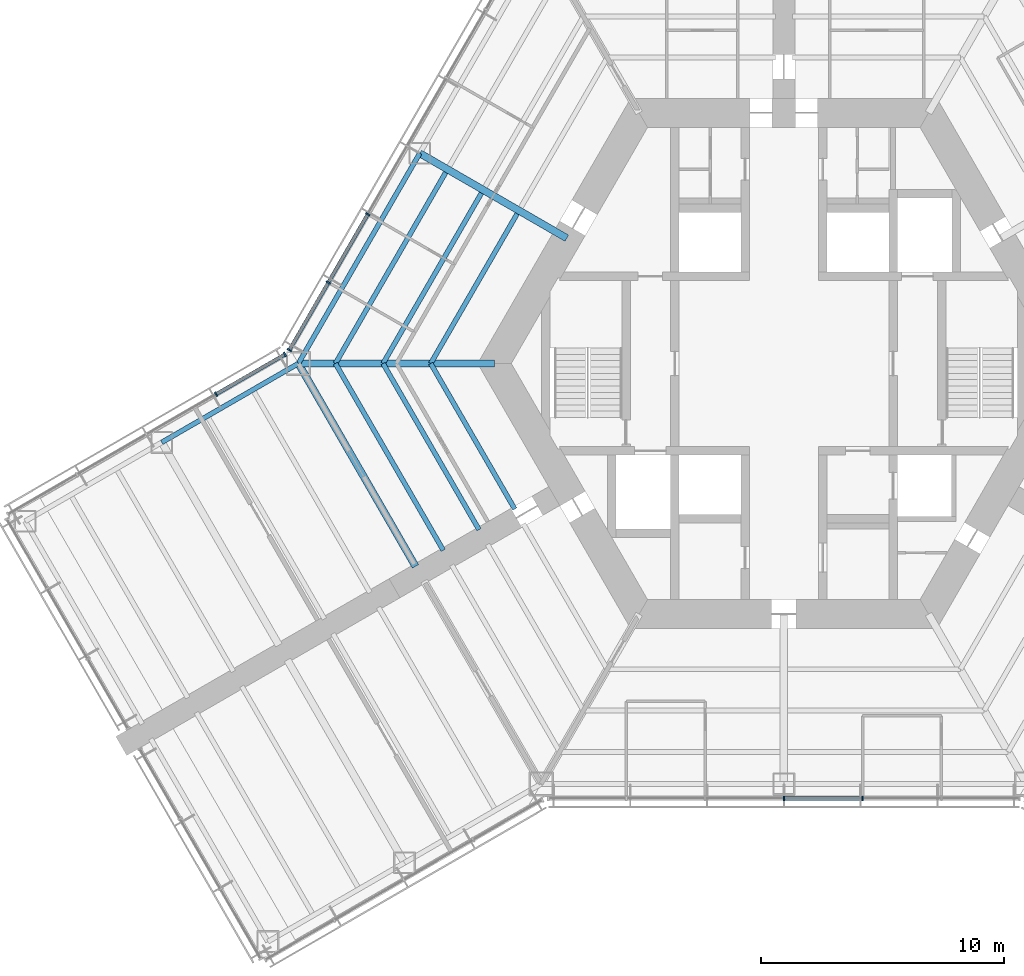
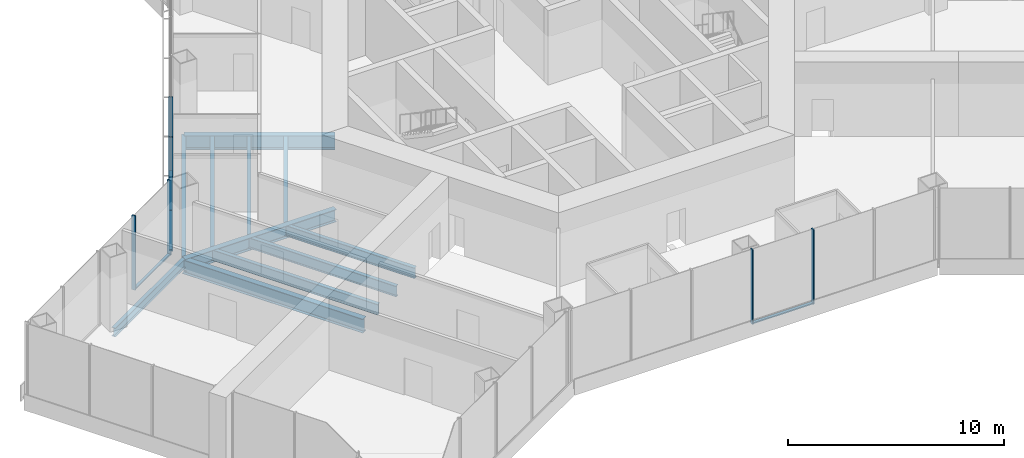
# One storey, part 3 of 17: 11 beams, 11 members, 3 elements without a shape of their own.
"""IFC4 building model written with IfcOpenShell, lengths in metres."""

from ifc_helpers import new_model, si_unit, direction, frame, origin, origin_2d, place, context, subcontext, project, spatial, rectangle, i_section, extrude, material, material_profile, profile_set, type_object, element, aggregate, save


model = new_model("IFC4")

# Units and contexts
model_context = context("Model", 3, precision=1e-05, world=origin(), true_north=direction((0.0, 1.0)))
body_context = subcontext(model_context, "Body", "Model", "MODEL_VIEW")
ifc_project = project(units=[si_unit("LENGTHUNIT", "METRE"), si_unit("AREAUNIT", "SQUARE_METRE"), si_unit("VOLUMEUNIT", "CUBIC_METRE"), si_unit("PLANEANGLEUNIT", "RADIAN"), si_unit("MASSUNIT", "GRAM", prefix="KILO")], contexts=[model_context])

# Site, building, storey
site_placement = place(None, origin())
site = spatial("IfcSite", under=ifc_project, at=site_placement, CompositionType="ELEMENT")
building_placement = place(site_placement, origin())
building = spatial("IfcBuilding", under=site, at=building_placement, Name="Kasaneha Research Tower", CompositionType="ELEMENT")
storey_placement = place(building_placement, frame((0.0, 0.0, 43.60009765625)))
storey = spatial("IfcBuildingStorey", under=building, at=storey_placement, Name="L11", CompositionType="ELEMENT", Elevation=43.60009765625)

# Beams
ifc_material_1 = material(Name="Steel SN490B", Category="steel")
ifc_material_profile_1 = material_profile(ifc_material_1, i_section(OverallWidth=0.199951171875, OverallDepth=0.60009765625, WebThickness=0.010986328125, FlangeThickness=0.01708984375, FilletRadius=0.012939453125, at=origin_2d()), Name="H-600x200x11x17")
ifc_profile_set_1 = profile_set([ifc_material_profile_1], Name="Steel SN490B")
beam_type_1 = type_object("IfcBeamType", Name="B1-2 secondary beam H-600x200x11x17", PredefinedType="JOIST", material=ifc_profile_set_1)
beam_1_placement = place(storey_placement, frame((-14.54931640625, 0.0, -0.47021484375), z_axis=(0.500016104636, 0.866016105569, 0.0), x_axis=(-0.866016105569, 0.500016104636, 0.0)))
element("IfcBeam", 1, at=beam_1_placement, inside=storey, type_object=beam_type_1, Name="Secondary beam RS150R1 L11", PredefinedType="JOIST", context=body_context, shape_type="SweptSolid", body=[
    extrude(i_section(OverallWidth=0.199951171875, OverallDepth=0.60009765625, WebThickness=0.010986328125, FlangeThickness=0.01708984375, FilletRadius=0.012939453125, at=origin_2d()), origin(), (0.0, 0.0, 1.0), 7.124755859375),
])
beam_2_placement = place(storey_placement, frame((-16.51220703125, 0.0, -0.47021484375), z_axis=(0.49999707157, 0.866027094508, 0.0), x_axis=(-0.866027094508, 0.49999707157, 0.0)))
element("IfcBeam", 2, at=beam_2_placement, inside=storey, type_object=beam_type_1, Name="Secondary beam RS150R2 L11", PredefinedType="JOIST", context=body_context, shape_type="SweptSolid", body=[
    extrude(i_section(OverallWidth=0.199951171875, OverallDepth=0.60009765625, WebThickness=0.010986328125, FlangeThickness=0.01708984375, FilletRadius=0.012939453125, at=origin_2d()), origin(), (0.0, 0.0, 1.0), 8.10595703125),
])
beam_3_placement = place(storey_placement, frame((-18.47509765625, 0.0, -0.47021484375), z_axis=(0.499990665392, 0.866030793056, 0.0), x_axis=(-0.866030793056, 0.499990665392, 0.0)))
element("IfcBeam", 3, at=beam_3_placement, inside=storey, type_object=beam_type_1, Name="Secondary beam RS150R3 L11", PredefinedType="JOIST", context=body_context, shape_type="SweptSolid", body=[
    extrude(i_section(OverallWidth=0.199951171875, OverallDepth=0.60009765625, WebThickness=0.010986328125, FlangeThickness=0.01708984375, FilletRadius=0.012939453125, at=origin_2d()), origin(), (0.0, 0.0, 1.0), 9.087646484375),
])
beam_4_placement = place(storey_placement, frame((-14.54931640625, 0.0, -0.47021484375), z_axis=(0.500014420154, -0.866017078145, 0.0), x_axis=(0.866017078145, 0.500014420154, 0.0)))
element("IfcBeam", 4, at=beam_4_placement, inside=storey, type_object=beam_type_1, Name="Secondary beam RS210L1 L11", PredefinedType="JOIST", context=body_context, shape_type="SweptSolid", body=[
    extrude(i_section(OverallWidth=0.199951171875, OverallDepth=0.60009765625, WebThickness=0.010986328125, FlangeThickness=0.01708984375, FilletRadius=0.012939453125, at=origin_2d()), origin(), (0.0, 0.0, 1.0), 6.924560546875),
])
beam_5_placement = place(storey_placement, frame((-16.51220703125, 0.0, -0.47021484375), z_axis=(0.500004902938, -0.866022573054, 0.0), x_axis=(0.866022573054, 0.500004902938, 0.0)))
element("IfcBeam", 5, at=beam_5_placement, inside=storey, type_object=beam_type_1, Name="Secondary beam RS210L2 L11", PredefinedType="JOIST", context=body_context, shape_type="SweptSolid", body=[
    extrude(i_section(OverallWidth=0.199951171875, OverallDepth=0.60009765625, WebThickness=0.010986328125, FlangeThickness=0.01708984375, FilletRadius=0.012939453125, at=origin_2d()), origin(), (0.0, 0.0, 1.0), 7.90625),
])
beam_6_placement = place(storey_placement, frame((-18.47509765625, 0.0, -0.47021484375), z_axis=(0.499988779951, -0.866031881586, 0.0), x_axis=(0.866031881586, 0.499988779951, 0.0)))
element("IfcBeam", 6, at=beam_6_placement, inside=storey, type_object=beam_type_1, Name="Secondary beam RS210L3 L11", PredefinedType="JOIST", context=body_context, shape_type="SweptSolid", body=[
    extrude(i_section(OverallWidth=0.199951171875, OverallDepth=0.60009765625, WebThickness=0.010986328125, FlangeThickness=0.01708984375, FilletRadius=0.012939453125, at=origin_2d()), origin(), (0.0, 0.0, 1.0), 8.887451171875),
])

# Curtain wall, members
ifc_material_2 = material(Name="Glass and aluminium", Category="aluminium")
curtain_wall_type = type_object("IfcCurtainWallType", Name="Dry laboratory curtain wall", PredefinedType="USERDEFINED", material=ifc_material_2)
curtain_wall_1_placement = place(storey_placement, origin())
curtain_wall_1 = element("IfcCurtainWall", 7, at=curtain_wall_1_placement, inside=storey, type_object=curtain_wall_type, Name="CW-L2 L11 run 02a", ObjectType="UNITISED CURTAIN WALL", PredefinedType="USERDEFINED")
ifc_material_3 = material(Name="Aluminium 6063-T6", Category="aluminium")
ifc_material_profile_2 = material_profile(ifc_material_3, rectangle(XDim=0.06494140625, YDim=0.199951171875, at=origin_2d()), Name="CW-L2 mullion 65x200")
ifc_profile_set_2 = profile_set([ifc_material_profile_2], Name="Aluminium 6063-T6")
member_type_1 = type_object("IfcMemberType", Name="CW-L2 mullion", PredefinedType="MULLION", material=ifc_profile_set_2)
member_1_placement = place(storey_placement, frame((0.0, -17.92041015625, 0.0), z_axis=(0.0, 0.0, 1.0), x_axis=(1.0, 0.0, 0.0)))
member_1 = element("IfcMember", 8, at=member_1_placement, type_object=member_type_1, Name="CW-L2 mullion 4", PredefinedType="MULLION", context=body_context, shape_type="SweptSolid", body=[
    extrude(rectangle(XDim=0.06494140625, YDim=0.199951171875, at=origin_2d()), origin(), (0.0, 0.0, 1.0), 4.199951171875),
])
member_2_placement = place(storey_placement, frame((3.246337890625, -17.92041015625, 0.0), z_axis=(0.0, 0.0, 1.0), x_axis=(1.0, 0.0, 0.0)))
member_2 = element("IfcMember", 9, at=member_2_placement, type_object=member_type_1, Name="CW-L2 mullion 5", PredefinedType="MULLION", context=body_context, shape_type="SweptSolid", body=[
    extrude(rectangle(XDim=0.06494140625, YDim=0.199951171875, at=origin_2d()), origin(), (0.0, 0.0, 1.0), 4.199951171875),
])

curtain_wall_2_placement = place(storey_placement, origin())
curtain_wall_2 = element("IfcCurtainWall", 10, at=curtain_wall_2_placement, inside=storey, type_object=curtain_wall_type, Name="CW-L2 L11 run 12a", ObjectType="UNITISED CURTAIN WALL", PredefinedType="USERDEFINED")
member_3_placement = place(storey_placement, frame((-17.142822265625, 6.148681640625, 0.0), z_axis=(0.0, 0.0, 1.0), x_axis=(-0.49999996188, -0.866025425793, 0.0)))
member_3 = element("IfcMember", 11, at=member_3_placement, type_object=member_type_1, Name="CW-L2 mullion 5", PredefinedType="MULLION", context=body_context, shape_type="SweptSolid", body=[
    extrude(rectangle(XDim=0.06494140625, YDim=0.199951171875, at=origin_2d()), origin(), (0.0, 0.0, 1.0), 4.199951171875),
])
member_4_placement = place(storey_placement, frame((-18.76611328125, 3.33740234375, 0.0), z_axis=(0.0, 0.0, 1.0), x_axis=(-0.49999996188, -0.866025425793, 0.0)))
member_4 = element("IfcMember", 12, at=member_4_placement, type_object=member_type_1, Name="CW-L2 mullion 6", PredefinedType="MULLION", context=body_context, shape_type="SweptSolid", body=[
    extrude(rectangle(XDim=0.06494140625, YDim=0.199951171875, at=origin_2d()), origin(), (0.0, 0.0, 1.0), 4.199951171875),
])
member_5_placement = place(storey_placement, frame((-20.373046875, 0.553955078125, 0.0), z_axis=(0.0, 0.0, 1.0), x_axis=(-0.49999996188, -0.866025425793, 0.0)))
member_5 = element("IfcMember", 13, at=member_5_placement, type_object=member_type_1, Name="CW-L2 mullion 7", PredefinedType="MULLION", context=body_context, shape_type="SweptSolid", body=[
    extrude(rectangle(XDim=0.06494140625, YDim=0.199951171875, at=origin_2d()), origin(), (0.0, 0.0, 1.0), 4.199951171875),
])

curtain_wall_3_placement = place(storey_placement, origin())
curtain_wall_3 = element("IfcCurtainWall", 14, at=curtain_wall_3_placement, inside=storey, type_object=curtain_wall_type, Name="CW-L2 L11 run 13a", ObjectType="UNITISED CURTAIN WALL", PredefinedType="USERDEFINED")
member_6_placement = place(storey_placement, frame((-20.553955078125, 0.373046875, 0.0), z_axis=(0.0, 0.0, 1.0), x_axis=(-0.866025411464, -0.499999986699, 0.0)))
member_6 = element("IfcMember", 15, at=member_6_placement, type_object=member_type_1, Name="CW-L2 mullion 1", PredefinedType="MULLION", context=body_context, shape_type="SweptSolid", body=[
    extrude(rectangle(XDim=0.06494140625, YDim=0.199951171875, at=origin_2d()), origin(), (0.0, 0.0, 1.0), 4.199951171875),
])
member_7_placement = place(storey_placement, frame((-23.39208984375, -1.265625, 0.0), z_axis=(0.0, 0.0, 1.0), x_axis=(-0.866025411464, -0.499999986699, 0.0)))
member_7 = element("IfcMember", 16, at=member_7_placement, type_object=member_type_1, Name="CW-L2 mullion 2", PredefinedType="MULLION", context=body_context, shape_type="SweptSolid", body=[
    extrude(rectangle(XDim=0.06494140625, YDim=0.199951171875, at=origin_2d()), origin(), (0.0, 0.0, 1.0), 4.199951171875),
])

# Member
ifc_material_4 = material(Name="Aluminium 6063-T6", Category="aluminium")
ifc_material_profile_3 = material_profile(ifc_material_4, rectangle(XDim=0.14990234375, YDim=0.06494140625, at=origin_2d()), Name="CW-L2 transom 150x65")
ifc_profile_set_3 = profile_set([ifc_material_profile_3], Name="Aluminium 6063-T6")
member_type_2 = type_object("IfcMemberType", Name="CW-L2 transom", PredefinedType="USERDEFINED", material=ifc_profile_set_3)
member_8_placement = place(storey_placement, frame((0.032470703125, -17.92041015625, 0.032470703125), z_axis=(1.0, 0.0, 0.0), x_axis=(0.0, 1.0, 0.0)))
member_8 = element("IfcMember", 17, at=member_8_placement, type_object=member_type_2, Name="CW-L2 transom 4", ObjectType="TRANSOM", PredefinedType="USERDEFINED", context=body_context, shape_type="SweptSolid", body=[
    extrude(rectangle(XDim=0.14990234375, YDim=0.06494140625, at=origin_2d()), origin(), (0.0, 0.0, 1.0), 3.181396484375),
])

aggregate(curtain_wall_1, [member_1, member_2, member_8])

member_9_placement = place(storey_placement, frame((-17.1591796875, 6.12060546875, 0.032470703125), z_axis=(-0.499977104415, -0.866038622153, 0.0), x_axis=(0.866038622153, -0.499977104415, 0.0)))
member_9 = element("IfcMember", 18, at=member_9_placement, type_object=member_type_2, Name="CW-L2 transom 5", ObjectType="TRANSOM", PredefinedType="USERDEFINED", context=body_context, shape_type="SweptSolid", body=[
    extrude(rectangle(XDim=0.14990234375, YDim=0.06494140625, at=origin_2d()), origin(), (0.0, 0.0, 1.0), 3.181396484375),
])

member_10_placement = place(storey_placement, frame((-18.7822265625, 3.30908203125, 0.032470703125), z_axis=(-0.49999985423, -0.866025487945, 0.0), x_axis=(0.866025487945, -0.49999985423, 0.0)))
member_10 = element("IfcMember", 19, at=member_10_placement, type_object=member_type_2, Name="CW-L2 transom 6", ObjectType="TRANSOM", PredefinedType="USERDEFINED", context=body_context, shape_type="SweptSolid", body=[
    extrude(rectangle(XDim=0.14990234375, YDim=0.06494140625, at=origin_2d()), origin(), (0.0, 0.0, 1.0), 3.14892578125),
])

aggregate(curtain_wall_2, [member_3, member_4, member_5, member_9, member_10])

member_11_placement = place(storey_placement, frame((-20.58203125, 0.356689453125, 0.032470703125), z_axis=(-0.866022320763, -0.500005339912, 0.0), x_axis=(0.500005339912, -0.866022320763, 0.0)))
member_11 = element("IfcMember", 20, at=member_11_placement, type_object=member_type_2, Name="CW-L2 transom 1", ObjectType="TRANSOM", PredefinedType="USERDEFINED", context=body_context, shape_type="SweptSolid", body=[
    extrude(rectangle(XDim=0.14990234375, YDim=0.06494140625, at=origin_2d()), origin(), (0.0, 0.0, 1.0), 3.21240234375),
])

aggregate(curtain_wall_3, [member_6, member_7, member_11])

# Beams
ifc_material_5 = material(Name="Steel SN490B", Category="steel")
ifc_material_profile_4 = material_profile(ifc_material_5, i_section(OverallWidth=0.300048828125, OverallDepth=0.699951171875, WebThickness=0.012939453125, FlangeThickness=0.02392578125, FilletRadius=0.01806640625, at=origin_2d()), Name="H-700x300x13x24")
ifc_profile_set_4 = profile_set([ifc_material_profile_4], Name="Steel SN490B")
beam_type_2 = type_object("IfcBeamType", Name="G1-2 radial girder H-700x300x13x24", PredefinedType="BEAM", material=ifc_profile_set_4)
beam_7_placement = place(storey_placement, frame((-11.92236328125, 0.0, -0.52001953125), z_axis=(-1.0, 0.0, 0.0), x_axis=(0.0, -1.0, 0.0)))
element("IfcBeam", 21, at=beam_7_placement, inside=storey, type_object=beam_type_2, Name="Radial girder RV180 L11", PredefinedType="BEAM", context=body_context, shape_type="SweptSolid", body=[
    extrude(i_section(OverallWidth=0.300048828125, OverallDepth=0.699951171875, WebThickness=0.012939453125, FlangeThickness=0.02392578125, FilletRadius=0.01806640625, at=origin_2d()), origin(), (0.0, 0.0, 1.0), 8.07763671875),
])
ifc_material_6 = material(Name="Steel SN490B", Category="steel")
ifc_material_profile_5 = material_profile(ifc_material_6, i_section(OverallWidth=0.300048828125, OverallDepth=0.800048828125, WebThickness=0.013916015625, FlangeThickness=0.02587890625, FilletRadius=0.01806640625, at=origin_2d()), Name="H-800x300x14x26")
ifc_profile_set_5 = profile_set([ifc_material_profile_5], Name="Steel SN490B")
beam_type_3 = type_object("IfcBeamType", Name="G2-2 radial girder H-800x300x14x26", PredefinedType="BEAM", material=ifc_profile_set_5)
beam_8_placement = place(storey_placement, frame((-8.941650390625, 5.16259765625, -0.570068359375), z_axis=(-0.866039713508, 0.499975214012, 0.0), x_axis=(-0.499975214012, -0.866039713508, 0.0)))
element("IfcBeam", 22, at=beam_8_placement, inside=storey, type_object=beam_type_3, Name="Radial girder RM150 L11", PredefinedType="BEAM", context=body_context, shape_type="SweptSolid", body=[
    extrude(i_section(OverallWidth=0.300048828125, OverallDepth=0.800048828125, WebThickness=0.013916015625, FlangeThickness=0.02587890625, FilletRadius=0.01806640625, at=origin_2d()), origin(), (0.0, 0.0, 1.0), 6.995361328125),
])
ifc_material_7 = material(Name="Steel SN490B", Category="steel")
ifc_material_profile_6 = material_profile(ifc_material_7, i_section(OverallWidth=0.300048828125, OverallDepth=0.7919921875, WebThickness=0.013916015625, FlangeThickness=0.02197265625, FilletRadius=0.01806640625, at=origin_2d()), Name="H-792x300x14x22")
ifc_profile_set_6 = profile_set([ifc_material_profile_6], Name="Steel SN490B")
beam_type_4 = type_object("IfcBeamType", Name="G3-2 plate edge girder H-792x300x14x22", PredefinedType="BEAM", material=ifc_profile_set_6)
beam_9_placement = place(storey_placement, frame((-20.0, 0.0, -0.566162109375), z_axis=(0.499994742786, -0.866028439017, 0.0), x_axis=(0.866028439017, 0.499994742786, 0.0)))
element("IfcBeam", 23, at=beam_9_placement, inside=storey, type_object=beam_type_4, Name="Plate edge girder PEBP L11", PredefinedType="BEAM", context=body_context, shape_type="SweptSolid", body=[
    extrude(i_section(OverallWidth=0.300048828125, OverallDepth=0.7919921875, WebThickness=0.013916015625, FlangeThickness=0.02197265625, FilletRadius=0.01806640625, at=origin_2d()), origin(), (0.0, 0.0, 1.0), 9.64990234375),
])
ifc_material_8 = material(Name="Steel SN490B", Category="steel")
ifc_material_profile_7 = material_profile(ifc_material_8, i_section(OverallWidth=0.199951171875, OverallDepth=0.60009765625, WebThickness=0.010986328125, FlangeThickness=0.01708984375, FilletRadius=0.012939453125, at=origin_2d()), Name="H-600x200x11x17")
ifc_profile_set_7 = profile_set([ifc_material_profile_7], Name="Steel SN490B")
beam_type_5 = type_object("IfcBeamType", Name="SB1-2 spandrel beam H-600x200x11x17", PredefinedType="SPANDREL", material=ifc_profile_set_7)
beam_10_placement = place(storey_placement, frame((-20.0, 0.0, -0.47021484375), z_axis=(0.500004234368, 0.866022959057, 0.0), x_axis=(-0.866022959057, 0.500004234368, 0.0)))
element("IfcBeam", 24, at=beam_10_placement, inside=storey, type_object=beam_type_5, Name="Spandrel beam SR150R L11", PredefinedType="SPANDREL", context=body_context, shape_type="SweptSolid", body=[
    extrude(i_section(OverallWidth=0.199951171875, OverallDepth=0.60009765625, WebThickness=0.010986328125, FlangeThickness=0.01708984375, FilletRadius=0.012939453125, at=origin_2d()), origin(), (0.0, 0.0, 1.0), 10.0),
])
ifc_material_9 = material(Name="Steel SN490B", Category="steel")
ifc_material_profile_8 = material_profile(ifc_material_9, i_section(OverallWidth=0.199951171875, OverallDepth=0.5, WebThickness=0.010009765625, FlangeThickness=0.01611328125, FilletRadius=0.012939453125, at=origin_2d()), Name="H-500x200x10x16")
ifc_profile_set_8 = profile_set([ifc_material_profile_8], Name="Steel SN490B")
beam_type_6 = type_object("IfcBeamType", Name="SB2-2 spandrel beam H-500x200x10x16", PredefinedType="SPANDREL", material=ifc_profile_set_8)
beam_11_placement = place(storey_placement, frame((-20.0, 0.0, -0.420166015625), z_axis=(-0.866024837091, -0.50000098154, 0.0), x_axis=(0.50000098154, -0.866024837091, 0.0)))
element("IfcBeam", 25, at=beam_11_placement, inside=storey, type_object=beam_type_6, Name="Spandrel beam WSBP1 L11", PredefinedType="SPANDREL", context=body_context, shape_type="SweptSolid", body=[
    extrude(i_section(OverallWidth=0.199951171875, OverallDepth=0.5, WebThickness=0.010009765625, FlangeThickness=0.01611328125, FilletRadius=0.012939453125, at=origin_2d()), origin(), (0.0, 0.0, 1.0), 6.5),
])

save(model, "model.ifc")
